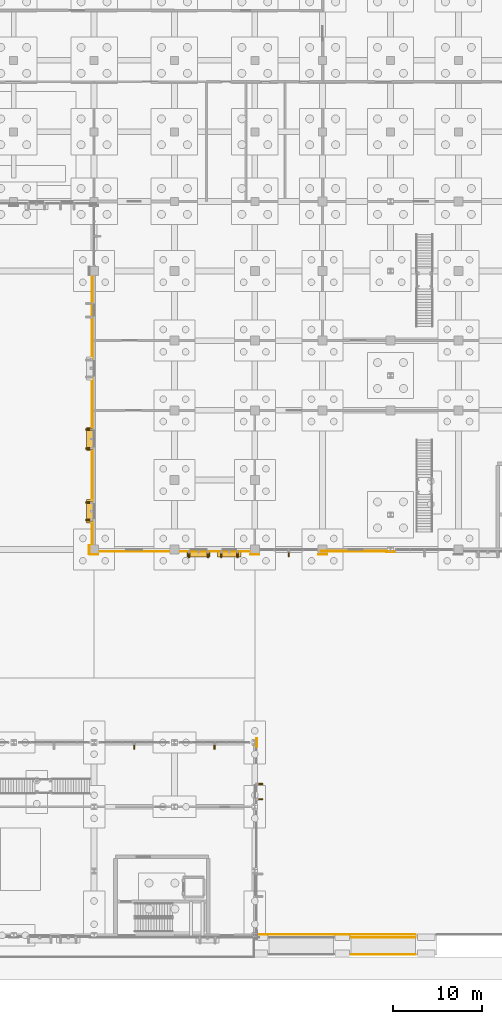
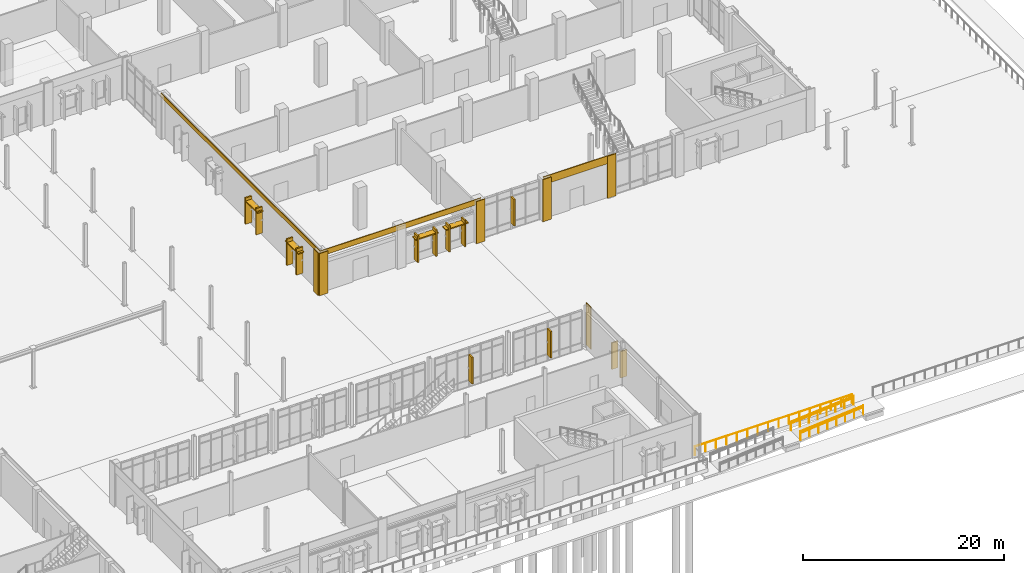
# One storey, part 85 of 94: 17 shading devices, 9 coverings, 5 railings.
"""IFC4 building model written with IfcOpenShell, lengths in metres."""

from ifc_helpers import new_model, si_unit, direction, frame, origin, origin_2d, place, context, subcontext, project, spatial, rectangle, circle, extrude, material, layer, layer_set, type_object, element, save


model = new_model("IFC4")

# Units and contexts
model_context = context("Model", 3, precision=1e-05, world=origin(), true_north=direction((0.0, 1.0)))
body_context = subcontext(model_context, "Body", "Model", "MODEL_VIEW")
ifc_project = project(units=[si_unit("LENGTHUNIT", "METRE"), si_unit("AREAUNIT", "SQUARE_METRE"), si_unit("VOLUMEUNIT", "CUBIC_METRE"), si_unit("PLANEANGLEUNIT", "RADIAN"), si_unit("MASSUNIT", "GRAM", prefix="KILO")], contexts=[model_context])

# Site, building, storey
site_placement = place(None, origin())
site = spatial("IfcSite", under=ifc_project, at=site_placement, CompositionType="ELEMENT")
building_placement = place(site_placement, origin())
building = spatial("IfcBuilding", under=site, at=building_placement, Name="Vervanel Yard Central Library", CompositionType="ELEMENT")
storey_placement = place(building_placement, origin())
storey = spatial("IfcBuildingStorey", under=building, at=storey_placement, Name="L00", CompositionType="ELEMENT", Elevation=0.0)

# Railings
ifc_material_1 = material(Name="Brushed stainless steel AISI 316", Category="steel")
railing_type_1 = type_object("IfcRailingType", Name="Brushed Stainless Stair Handrail 900", PredefinedType="HANDRAIL", material=ifc_material_1)
for number, where, name in (
    (1, (118.800048828125, -0.25, -0.60009765625), "RAMP-01-F2 Handrail L"),
    (2, (118.800048828125, -2.14990234375, -0.60009765625), "RAMP-01-F2 Handrail R"),
):
    element("IfcRailing", number, at=place(storey_placement, frame(where)), inside=storey, type_object=railing_type_1, Name=name, PredefinedType="HANDRAIL", context=body_context, shape_type="SweptSolid", body=[
        extrude(circle(Radius=0.02392578125, at=origin_2d()), frame((0.0, 0.0, 0.8759765625), z_axis=(0.996544592923, 0.0, 0.083059462528), x_axis=(0.0, 1.0, 0.0)), (0.0, 0.0, 1.0), 7.224853515625),
        extrude(circle(Radius=0.02099609375, at=origin_2d()), origin(), (0.0, 0.0, 1.0), 0.851806640625),
        extrude(circle(Radius=0.02099609375, at=origin_2d()), frame((1.028564453125, 0.0, 0.085693359375)), (0.0, 0.0, 1.0), 0.851806640625),
        extrude(circle(Radius=0.02099609375, at=origin_2d()), frame((2.05712890625, 0.0, 0.17138671875)), (0.0, 0.0, 1.0), 0.851806640625),
        extrude(circle(Radius=0.02099609375, at=origin_2d()), frame((3.085693359375, 0.0, 0.257080078125)), (0.0, 0.0, 1.0), 0.851806640625),
        extrude(circle(Radius=0.02099609375, at=origin_2d()), frame((4.1142578125, 0.0, 0.343017578125)), (0.0, 0.0, 1.0), 0.851806640625),
        extrude(circle(Radius=0.02099609375, at=origin_2d()), frame((5.142822265625, 0.0, 0.4287109375)), (0.0, 0.0, 1.0), 0.851806640625),
        extrude(circle(Radius=0.02099609375, at=origin_2d()), frame((6.17138671875, 0.0, 0.514404296875)), (0.0, 0.0, 1.0), 0.851806640625),
        extrude(circle(Radius=0.02099609375, at=origin_2d()), frame((7.199951171875, 0.0, 0.60009765625)), (0.0, 0.0, 1.0), 0.851806640625),
    ])

# Coverings
ifc_material_2 = material(Name="Precast concrete C45/55", Category="concrete")
ifc_layer = layer(ifc_material_2, 0.0849609375, Category="concrete")
ifc_layer_set = layer_set([ifc_layer], Name="Precast concrete C45/55")
covering_type = type_object("IfcCoveringType", Name="Bush-Hammered Precast Architectural Cladding Panel", PredefinedType="CLADDING", material=ifc_layer_set)
covering_1_placement = place(storey_placement, frame((89.81005859375, 58.800048828125, 4.6298828125), z_axis=(0.0, 0.0, 1.0), x_axis=(0.0, 1.0, 0.0)))
element("IfcCovering", 3, at=covering_1_placement, inside=storey, type_object=covering_type, Name="L00 Precast Concrete Spandrel Cornice EWALL-L00-0157", PredefinedType="CLADDING", context=body_context, shape_type="SweptSolid", body=[
    extrude(rectangle(XDim=31.64990234375, YDim=0.0849609375, at=origin_2d()), origin(), (0.0, 0.0, 1.0), 0.489990234375),
])
covering_2_placement = place(storey_placement, frame((89.45751953125, 43.199951171875, 0.0), z_axis=(0.0, 0.0, 1.0), x_axis=(0.0, 1.0, 0.0)))
element("IfcCovering", 4, at=covering_2_placement, inside=storey, type_object=covering_type, Name="L00 Precast Concrete Pier Pilaster EWALL-L00-0157-A", PredefinedType="CLADDING", context=body_context, shape_type="SweptSolid", body=[
    extrude(rectangle(XDim=0.97998046875, YDim=0.0849609375, at=origin_2d()), origin(), (0.0, 0.0, 1.0), 5.1201171875),
])
covering_3_placement = place(storey_placement, frame((99.0, 42.99609375, 4.47998046875), z_axis=(0.0, 0.0, 1.0), x_axis=(1.0, 0.0, 0.0)))
element("IfcCovering", 5, at=covering_3_placement, inside=storey, type_object=covering_type, Name="L00 Precast Concrete Spandrel Cornice EWALL-L00-0158", PredefinedType="CLADDING", context=body_context, shape_type="SweptSolid", body=[
    extrude(rectangle(XDim=18.449951171875, YDim=0.0849609375, at=origin_2d()), origin(), (0.0, 0.0, 1.0), 0.639892578125),
])
for number, where, z_axis, x_axis, name in (
    (6, (90.0, 42.657470703125, 0.0), (0.0, 0.0, 1.0), (1.0, 0.0, 0.0), "L00 Precast Concrete Pier Pilaster EWALL-L00-0158-A"),
    (7, (108.0, 42.657470703125, 0.0), (0.0, 0.0, 1.0), (1.0, 0.0, 0.0), "L00 Precast Concrete Pier Pilaster EWALL-L00-0158-B"),
):
    element("IfcCovering", number, at=place(storey_placement, frame(where, z_axis=z_axis, x_axis=x_axis)), inside=storey, type_object=covering_type, Name=name, PredefinedType="CLADDING", context=body_context, shape_type="SweptSolid", body=[
        extrude(rectangle(XDim=0.97998046875, YDim=0.0849609375, at=origin_2d()), origin(), (0.0, 0.0, 1.0), 5.1201171875),
    ])
covering_4_placement = place(storey_placement, frame((119.39990234375, 43.01904296875, 4.179931640625), z_axis=(0.0, 0.0, 1.0), x_axis=(1.0, 0.0, 0.0)))
element("IfcCovering", 8, at=covering_4_placement, inside=storey, type_object=covering_type, Name="L00 Precast Concrete Spandrel Cornice EWALL-L00-0161", PredefinedType="CLADDING", context=body_context, shape_type="SweptSolid", body=[
    extrude(rectangle(XDim=8.050048828125, YDim=0.0849609375, at=origin_2d()), origin(), (0.0, 0.0, 1.0), 0.93994140625),
])
for number, where, z_axis, x_axis, name in (
    (9, (115.60009765625, 42.657470703125, 0.0), (0.0, 0.0, 1.0), (1.0, 0.0, 0.0), "L00 Precast Concrete Pier Pilaster EWALL-L00-0161-A"),
    (10, (123.199951171875, 42.956787109375, 0.0), (0.0, 0.0, 1.0), (1.0, 0.0, 0.0), "L00 Precast Concrete Pier Pilaster EWALL-L00-0161-B"),
    (11, (108.226806640625, 21.60009765625, 0.0), (0.0, 0.0, 1.0), (0.0, 1.0, 0.0), "L00 Precast Concrete Pier Pilaster EWALL-L00-0199-B"),
):
    element("IfcCovering", number, at=place(storey_placement, frame(where, z_axis=z_axis, x_axis=x_axis)), inside=storey, type_object=covering_type, Name=name, PredefinedType="CLADDING", context=body_context, shape_type="SweptSolid", body=[
        extrude(rectangle(XDim=0.97998046875, YDim=0.0849609375, at=origin_2d()), origin(), (0.0, 0.0, 1.0), 5.1201171875),
    ])

# Railings
railing_type_2 = type_object("IfcRailingType", Name="Exterior Terrace Guardrail 1100", PredefinedType="GUARDRAIL", material=ifc_material_1)
for number, where, name in (
    (12, (118.800048828125, -0.25, -0.60009765625), "RAMP-01-F2 Guardrail L"),
    (13, (118.800048828125, -2.14990234375, -0.60009765625), "RAMP-01-F2 Guardrail R"),
):
    element("IfcRailing", number, at=place(storey_placement, frame(where)), inside=storey, type_object=railing_type_2, Name=name, PredefinedType="GUARDRAIL", context=body_context, shape_type="SweptSolid", body=[
        extrude(circle(Radius=0.02392578125, at=origin_2d()), frame((0.0, 0.0, 1.076171875), z_axis=(0.996544592923, 0.0, 0.083059462528), x_axis=(0.0, 1.0, 0.0)), (0.0, 0.0, 1.0), 7.224853515625),
        extrude(circle(Radius=0.02099609375, at=origin_2d()), origin(), (0.0, 0.0, 1.0), 1.052001953125),
        extrude(circle(Radius=0.02099609375, at=origin_2d()), frame((1.028564453125, 0.0, 0.085693359375)), (0.0, 0.0, 1.0), 1.052001953125),
        extrude(circle(Radius=0.02099609375, at=origin_2d()), frame((2.05712890625, 0.0, 0.17138671875)), (0.0, 0.0, 1.0), 1.052001953125),
        extrude(circle(Radius=0.02099609375, at=origin_2d()), frame((3.085693359375, 0.0, 0.257080078125)), (0.0, 0.0, 1.0), 1.052001953125),
        extrude(circle(Radius=0.02099609375, at=origin_2d()), frame((4.1142578125, 0.0, 0.343017578125)), (0.0, 0.0, 1.0), 1.052001953125),
        extrude(circle(Radius=0.02099609375, at=origin_2d()), frame((5.142822265625, 0.0, 0.4287109375)), (0.0, 0.0, 1.0), 1.052001953125),
        extrude(circle(Radius=0.02099609375, at=origin_2d()), frame((6.17138671875, 0.0, 0.514404296875)), (0.0, 0.0, 1.0), 1.052001953125),
        extrude(circle(Radius=0.02099609375, at=origin_2d()), frame((7.199951171875, 0.0, 0.60009765625)), (0.0, 0.0, 1.0), 1.052001953125),
    ])
railing_placement = place(storey_placement, frame((108.0, 0.080078125, 0.0)))
element("IfcRailing", 14, at=railing_placement, inside=storey, type_object=railing_type_2, Name="L00 Southeast Forecourt Arrival Plaza Edge Guard 3", PredefinedType="GUARDRAIL", context=body_context, shape_type="SweptSolid", body=[
    extrude(circle(Radius=0.02392578125, at=origin_2d()), frame((0.0, 0.0, 1.076171875), z_axis=(1.0, 0.0, 0.0), x_axis=(0.0, 1.0, 0.0)), (0.0, 0.0, 1.0), 18.0),
    extrude(circle(Radius=0.02099609375, at=origin_2d()), origin(), (0.0, 0.0, 1.0), 1.052001953125),
    extrude(circle(Radius=0.02099609375, at=origin_2d()), frame((1.199951171875, 0.0, 0.0)), (0.0, 0.0, 1.0), 1.052001953125),
    extrude(circle(Radius=0.02099609375, at=origin_2d()), frame((2.39990234375, 0.0, 0.0)), (0.0, 0.0, 1.0), 1.052001953125),
    extrude(circle(Radius=0.02099609375, at=origin_2d()), frame((3.60009765625, 0.0, 0.0)), (0.0, 0.0, 1.0), 1.052001953125),
    extrude(circle(Radius=0.02099609375, at=origin_2d()), frame((4.800048828125, 0.0, 0.0)), (0.0, 0.0, 1.0), 1.052001953125),
    extrude(circle(Radius=0.02099609375, at=origin_2d()), frame((6.0, 0.0, 0.0)), (0.0, 0.0, 1.0), 1.052001953125),
    extrude(circle(Radius=0.02099609375, at=origin_2d()), frame((7.199951171875, 0.0, 0.0)), (0.0, 0.0, 1.0), 1.052001953125),
    extrude(circle(Radius=0.02099609375, at=origin_2d()), frame((8.39990234375, 0.0, 0.0)), (0.0, 0.0, 1.0), 1.052001953125),
    extrude(circle(Radius=0.02099609375, at=origin_2d()), frame((9.60009765625, 0.0, 0.0)), (0.0, 0.0, 1.0), 1.052001953125),
    extrude(circle(Radius=0.02099609375, at=origin_2d()), frame((10.800048828125, 0.0, 0.0)), (0.0, 0.0, 1.0), 1.052001953125),
    extrude(circle(Radius=0.02099609375, at=origin_2d()), frame((12.0, 0.0, 0.0)), (0.0, 0.0, 1.0), 1.052001953125),
    extrude(circle(Radius=0.02099609375, at=origin_2d()), frame((13.199951171875, 0.0, 0.0)), (0.0, 0.0, 1.0), 1.052001953125),
    extrude(circle(Radius=0.02099609375, at=origin_2d()), frame((14.39990234375, 0.0, 0.0)), (0.0, 0.0, 1.0), 1.052001953125),
    extrude(circle(Radius=0.02099609375, at=origin_2d()), frame((15.60009765625, 0.0, 0.0)), (0.0, 0.0, 1.0), 1.052001953125),
    extrude(circle(Radius=0.02099609375, at=origin_2d()), frame((16.800048828125, 0.0, 0.0)), (0.0, 0.0, 1.0), 1.052001953125),
    extrude(circle(Radius=0.02099609375, at=origin_2d()), frame((18.0, 0.0, 0.0)), (0.0, 0.0, 1.0), 1.052001953125),
])

# Shading devices
shading_device_type_1 = type_object("IfcShadingDeviceType", Name="Horizontal Precast Brise-Soleil Sunhood 2600x680x140", PredefinedType="JALOUSIE", material=ifc_material_2)
for number, where, z_axis, x_axis, name in (
    (15, (89.47998046875, 47.5, 2.97998046875), (0.0, 0.0, 1.0), (0.0, 1.0, 0.0), "L00 Precast Horizontal Sunhood 94"),
    (16, (89.47998046875, 55.60009765625, 3.0302734375), (0.0, 0.0, 1.0), (0.0, 1.0, 0.0), "L00 Precast Horizontal Sunhood 95"),
    (17, (101.699951171875, 42.68994140625, 3.0302734375), (0.0, 0.0, 1.0), (1.0, 0.0, 0.0), "L00 Precast Horizontal Sunhood 97"),
    (18, (105.14990234375, 42.68994140625, 3.0302734375), (0.0, 0.0, 1.0), (1.0, 0.0, 0.0), "L00 Precast Horizontal Sunhood 98"),
):
    element("IfcShadingDevice", number, at=place(storey_placement, frame(where, z_axis=z_axis, x_axis=x_axis)), inside=storey, type_object=shading_device_type_1, Name=name, PredefinedType="JALOUSIE", context=body_context, shape_type="SweptSolid", body=[
        extrude(rectangle(XDim=2.60009765625, YDim=0.679931640625, at=origin_2d()), origin(), (0.0, 0.0, 1.0), 0.139892578125),
    ])
shading_device_type_2 = type_object("IfcShadingDeviceType", Name="Vertical Precast Solar Fin 160x720x3200", PredefinedType="JALOUSIE", material=ifc_material_2)
for number, where, z_axis, x_axis, name in (
    (19, (89.449951171875, 46.5400390625, 0.3251953125), (0.0, 0.0, 1.0), (0.0, 1.0, 0.0), "L00 Precast Solar Fin 429"),
    (20, (89.449951171875, 48.4599609375, 0.3251953125), (0.0, 0.0, 1.0), (0.0, 1.0, 0.0), "L00 Precast Solar Fin 430"),
    (21, (89.449951171875, 54.5400390625, 0.35009765625), (0.0, 0.0, 1.0), (0.0, 1.0, 0.0), "L00 Precast Solar Fin 431"),
    (22, (89.449951171875, 56.659912109375, 0.35009765625), (0.0, 0.0, 1.0), (0.0, 1.0, 0.0), "L00 Precast Solar Fin 432"),
    (23, (100.639892578125, 42.659912109375, 0.35009765625), (0.0, 0.0, 1.0), (1.0, 0.0, 0.0), "L00 Precast Solar Fin 441"),
    (24, (102.760009765625, 42.659912109375, 0.35009765625), (0.0, 0.0, 1.0), (1.0, 0.0, 0.0), "L00 Precast Solar Fin 442"),
    (25, (104.239990234375, 42.659912109375, 0.35009765625), (0.0, 0.0, 1.0), (1.0, 0.0, 0.0), "L00 Precast Solar Fin 443"),
    (26, (106.06005859375, 42.659912109375, 0.35009765625), (0.0, 0.0, 1.0), (1.0, 0.0, 0.0), "L00 Precast Solar Fin 444"),
    (27, (111.800048828125, 42.7900390625, 0.7900390625), (0.0, 0.0, 1.0), (1.0, 0.0, 0.0), "L00 Precast Solar Fin 445"),
    (28, (94.5, 21.18994140625, 0.7900390625), (0.0, 0.0, 1.0), (1.0, 0.0, 0.0), "L00 Precast Solar Fin 575"),
    (29, (103.5, 21.18994140625, 0.7900390625), (0.0, 0.0, 1.0), (1.0, 0.0, 0.0), "L00 Precast Solar Fin 576"),
    (30, (108.530029296875, 15.239990234375, 0.14990234375), (0.0, 0.0, 1.0), (0.0, 1.0, 0.0), "L00 Precast Solar Fin 583"),
    (31, (108.530029296875, 16.9599609375, 0.14990234375), (0.0, 0.0, 1.0), (0.0, 1.0, 0.0), "L00 Precast Solar Fin 584"),
):
    element("IfcShadingDevice", number, at=place(storey_placement, frame(where, z_axis=z_axis, x_axis=x_axis)), inside=storey, type_object=shading_device_type_2, Name=name, PredefinedType="JALOUSIE", context=body_context, shape_type="SweptSolid", body=[
        extrude(rectangle(XDim=0.159912109375, YDim=0.719970703125, at=origin_2d()), origin(), (0.0, 0.0, 1.0), 3.199951171875),
    ])

save(model, "model.ifc")
